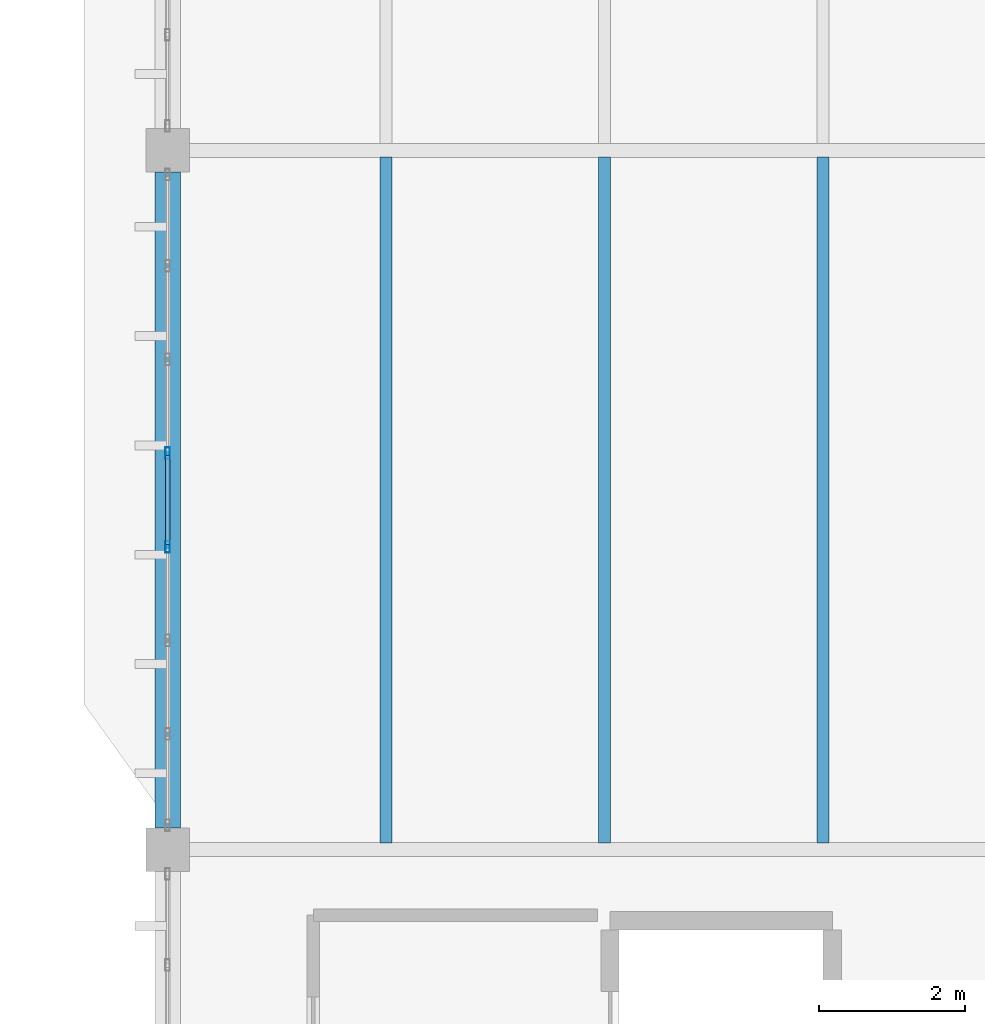
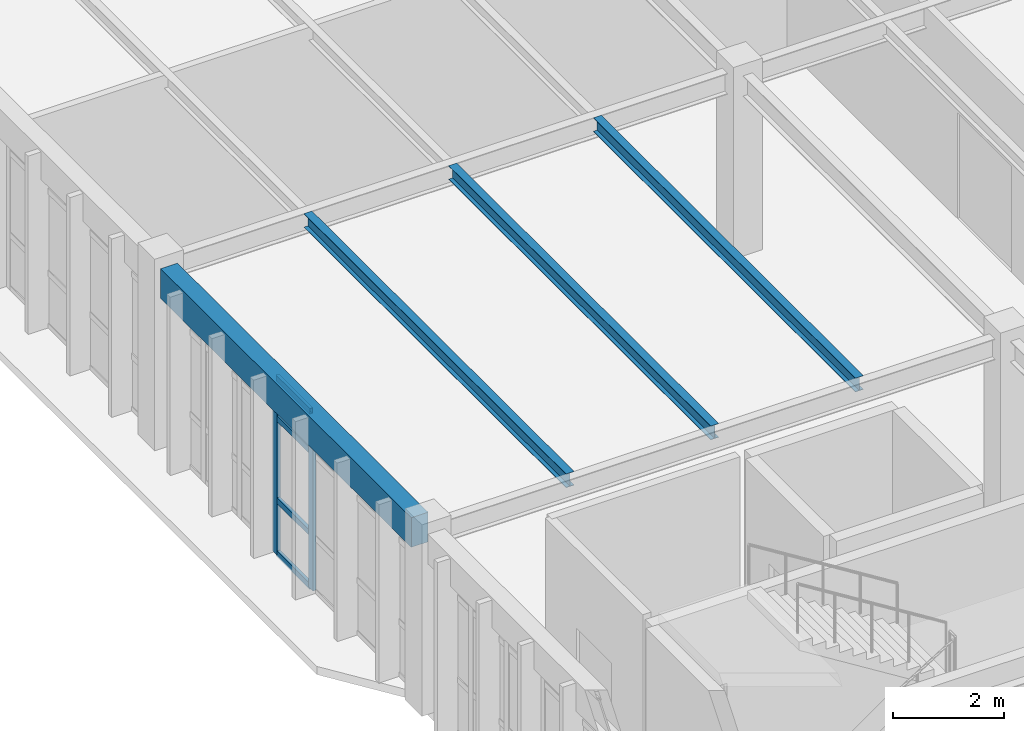
# One storey, part 40 of 83: 6 members, 4 beams, 1 element without a shape of its own.
"""IFC4 building model written with IfcOpenShell, lengths in metres."""

from ifc_helpers import new_model, si_unit, direction, frame, origin, origin_2d, place, context, subcontext, project, spatial, rectangle, hollow_rectangle, i_section, extrude, material, layer, layer_set, material_profile, profile_set, type_object, element, aggregate, save


model = new_model("IFC4")

# Units and contexts
model_context = context("Model", 3, precision=1e-05, world=origin(), true_north=direction((0.0, 1.0)))
body_context = subcontext(model_context, "Body", "Model", "MODEL_VIEW")
ifc_project = project(units=[si_unit("LENGTHUNIT", "METRE"), si_unit("AREAUNIT", "SQUARE_METRE"), si_unit("VOLUMEUNIT", "CUBIC_METRE"), si_unit("PLANEANGLEUNIT", "RADIAN"), si_unit("MASSUNIT", "GRAM", prefix="KILO")], contexts=[model_context])

# Site, building, storey
site_placement = place(None, origin())
site = spatial("IfcSite", under=ifc_project, at=site_placement, CompositionType="ELEMENT")
building_placement = place(site_placement, origin())
building = spatial("IfcBuilding", under=site, at=building_placement, Name="Pandanus Reach Market Hall", CompositionType="ELEMENT")
storey_placement = place(building_placement, frame((0.0, 0.0, 10.199951171875)))
storey = spatial("IfcBuildingStorey", under=building, at=storey_placement, Name="L02", CompositionType="ELEMENT", Elevation=10.199951171875)

# Beam
ifc_material_1 = material(Name="Concrete N40 (40 MPa)", Category="concrete")
ifc_material_profile_1 = material_profile(ifc_material_1, rectangle(XDim=0.35009765625, YDim=0.64990234375, at=origin_2d()), Name="RC350x650", Category="LoadBearing")
ifc_profile_set_1 = profile_set([ifc_material_profile_1], Name="Concrete N40 (40 MPa)")
beam_type_1 = type_object("IfcBeamType", Name="BM-RC350-E", PredefinedType="SPANDREL", material=ifc_profile_set_1)
beam_placement = place(storey_placement, frame((144.0, 57.89794921875, 3.625), z_axis=(0.0, 1.0, 0.0), x_axis=(-1.0, 0.0, 0.0)))
element("IfcBeam", 1, at=beam_placement, inside=storey, type_object=beam_type_1, Name="Framing beam BM-RC350-E L02.465", PredefinedType="SPANDREL", context=body_context, shape_type="SweptSolid", body=[
    extrude(rectangle(XDim=0.35009765625, YDim=0.64990234375, at=origin_2d()), origin(), (0.0, 0.0, 1.0), 9.004150390625),
])

# Curtain wall, members
ifc_material_2 = material(Name="Bronze anodised aluminium and low-E glass", Category="aluminium")
ifc_layer = layer(ifc_material_2, 0.159912109375, Name="CW-33")
ifc_layer_set = layer_set([ifc_layer], Name="Bronze anodised aluminium and low-E glass")
curtain_wall_type = type_object("IfcCurtainWallType", Name="CW-33", PredefinedType="NOTDEFINED", material=ifc_layer_set)
curtain_wall_placement = place(storey_placement, origin())
curtain_wall = element("IfcCurtainWall", 2, at=curtain_wall_placement, inside=storey, type_object=curtain_wall_type, Name="Glazed curtain wall CW-33 CW-0113", PredefinedType="NOTDEFINED")
ifc_material_3 = material(Name="Bronze anodised aluminium", Category="aluminium")
ifc_material_profile_2 = material_profile(ifc_material_3, hollow_rectangle(XDim=0.06494140625, YDim=0.159912109375, WallThickness=0.00390625, at=origin_2d()), Name="ALU65x160", Category="LoadBearing")
ifc_profile_set_2 = profile_set([ifc_material_profile_2], Name="Bronze anodised aluminium")
member_type_1 = type_object("IfcMemberType", Name="CW-M1", PredefinedType="MULLION", material=ifc_profile_set_2)
member_1_placement = place(storey_placement, frame((144.0, 61.757080078125, 0.0), z_axis=(0.0, 0.0, 1.0), x_axis=(-1.0, 0.0, 0.0)))
member_1 = element("IfcMember", 3, at=member_1_placement, type_object=member_type_1, Name="CW-33 mullion 4", PredefinedType="MULLION", context=body_context, shape_type="SweptSolid", body=[
    extrude(hollow_rectangle(XDim=0.06494140625, YDim=0.159912109375, WallThickness=0.00390625, at=origin_2d()), origin(), (0.0, 0.0, 1.0), 3.900146484375),
])
member_2_placement = place(storey_placement, frame((144.0, 63.04296875, 0.0), z_axis=(0.0, 0.0, 1.0), x_axis=(-1.0, 0.0, 0.0)))
member_2 = element("IfcMember", 4, at=member_2_placement, type_object=member_type_1, Name="CW-33 mullion 5", PredefinedType="MULLION", context=body_context, shape_type="SweptSolid", body=[
    extrude(hollow_rectangle(XDim=0.06494140625, YDim=0.159912109375, WallThickness=0.00390625, at=origin_2d()), origin(), (0.0, 0.0, 1.0), 3.900146484375),
])
ifc_material_profile_3 = material_profile(ifc_material_3, hollow_rectangle(XDim=0.06494140625, YDim=0.1298828125, WallThickness=0.00390625, at=origin_2d()), Name="ALU65x130", Category="LoadBearing")
ifc_profile_set_3 = profile_set([ifc_material_profile_3], Name="Bronze anodised aluminium")
member_type_2 = type_object("IfcMemberType", Name="CW-T1", PredefinedType="USERDEFINED", material=ifc_profile_set_3)
member_3_placement = place(storey_placement, frame((144.0, 61.78955078125, 0.032470703125), z_axis=(0.0, 1.0, 0.0), x_axis=(-1.0, 0.0, 0.0)))
member_3 = element("IfcMember", 5, at=member_3_placement, type_object=member_type_2, Name="CW-33 transom 4.1", ObjectType="TRANSOM", PredefinedType="USERDEFINED", context=body_context, shape_type="SweptSolid", body=[
    extrude(hollow_rectangle(XDim=0.06494140625, YDim=0.1298828125, WallThickness=0.00390625, at=origin_2d()), origin(), (0.0, 0.0, 1.0), 1.220703125),
])
member_4_placement = place(storey_placement, frame((144.0, 61.78955078125, 1.199951171875), z_axis=(0.0, 1.0, 0.0), x_axis=(-1.0, 0.0, 0.0)))
member_4 = element("IfcMember", 6, at=member_4_placement, type_object=member_type_2, Name="CW-33 transom 4.2", ObjectType="TRANSOM", PredefinedType="USERDEFINED", context=body_context, shape_type="SweptSolid", body=[
    extrude(hollow_rectangle(XDim=0.06494140625, YDim=0.1298828125, WallThickness=0.00390625, at=origin_2d()), origin(), (0.0, 0.0, 1.0), 1.220703125),
])
member_5_placement = place(storey_placement, frame((144.0, 61.78955078125, 3.0), z_axis=(0.0, 1.0, 0.0), x_axis=(-1.0, 0.0, 0.0)))
member_5 = element("IfcMember", 7, at=member_5_placement, type_object=member_type_2, Name="CW-33 transom 4.3", ObjectType="TRANSOM", PredefinedType="USERDEFINED", context=body_context, shape_type="SweptSolid", body=[
    extrude(hollow_rectangle(XDim=0.06494140625, YDim=0.1298828125, WallThickness=0.00390625, at=origin_2d()), origin(), (0.0, 0.0, 1.0), 1.220703125),
])
member_6_placement = place(storey_placement, frame((144.0, 61.78955078125, 3.867431640625), z_axis=(0.0, 1.0, 0.0), x_axis=(-1.0, 0.0, 0.0)))
member_6 = element("IfcMember", 8, at=member_6_placement, type_object=member_type_2, Name="CW-33 transom 4.4", ObjectType="TRANSOM", PredefinedType="USERDEFINED", context=body_context, shape_type="SweptSolid", body=[
    extrude(hollow_rectangle(XDim=0.06494140625, YDim=0.1298828125, WallThickness=0.00390625, at=origin_2d()), origin(), (0.0, 0.0, 1.0), 1.220703125),
])
aggregate(curtain_wall, [member_1, member_2, member_3, member_4, member_5, member_6])

# Beams
ifc_material_4 = material(Name="Steel Grade 350 (350 MPa)", Category="steel")
ifc_material_profile_4 = material_profile(ifc_material_4, i_section(OverallWidth=0.1650390625, OverallDepth=0.303955078125, WebThickness=0.006103515625, FlangeThickness=0.01025390625, at=origin_2d()), Name="310UB40.4", Category="LoadBearing")
ifc_profile_set_4 = profile_set([ifc_material_profile_4], Name="Steel Grade 350 (350 MPa)")
beam_type_2 = type_object("IfcBeamType", Name="JS-UB310-I", PredefinedType="JOIST", material=ifc_profile_set_4)
for number, where, z_axis, x_axis, name in (
    (9, (147.0, 57.693115234375, 3.797607421875), (0.0, 1.0, 0.0), (-1.0, 0.0, 0.0), "Secondary joist JS-UB310-I L02.498"),
    (10, (150.0, 57.693115234375, 3.797607421875), (0.0, 1.0, 0.0), (-1.0, 0.0, 0.0), "Secondary joist JS-UB310-I L02.499"),
    (11, (153.0, 57.693115234375, 3.797607421875), (0.0, 1.0, 0.0), (-1.0, 0.0, 0.0), "Secondary joist JS-UB310-I L02.500"),
):
    element("IfcBeam", number, at=place(storey_placement, frame(where, z_axis=z_axis, x_axis=x_axis)), inside=storey, type_object=beam_type_2, Name=name, PredefinedType="JOIST", context=body_context, shape_type="SweptSolid", body=[
        extrude(i_section(OverallWidth=0.1650390625, OverallDepth=0.303955078125, WebThickness=0.006103515625, FlangeThickness=0.01025390625, at=origin_2d()), origin(), (0.0, 0.0, 1.0), 9.413818359375),
    ])

save(model, "model.ifc")
